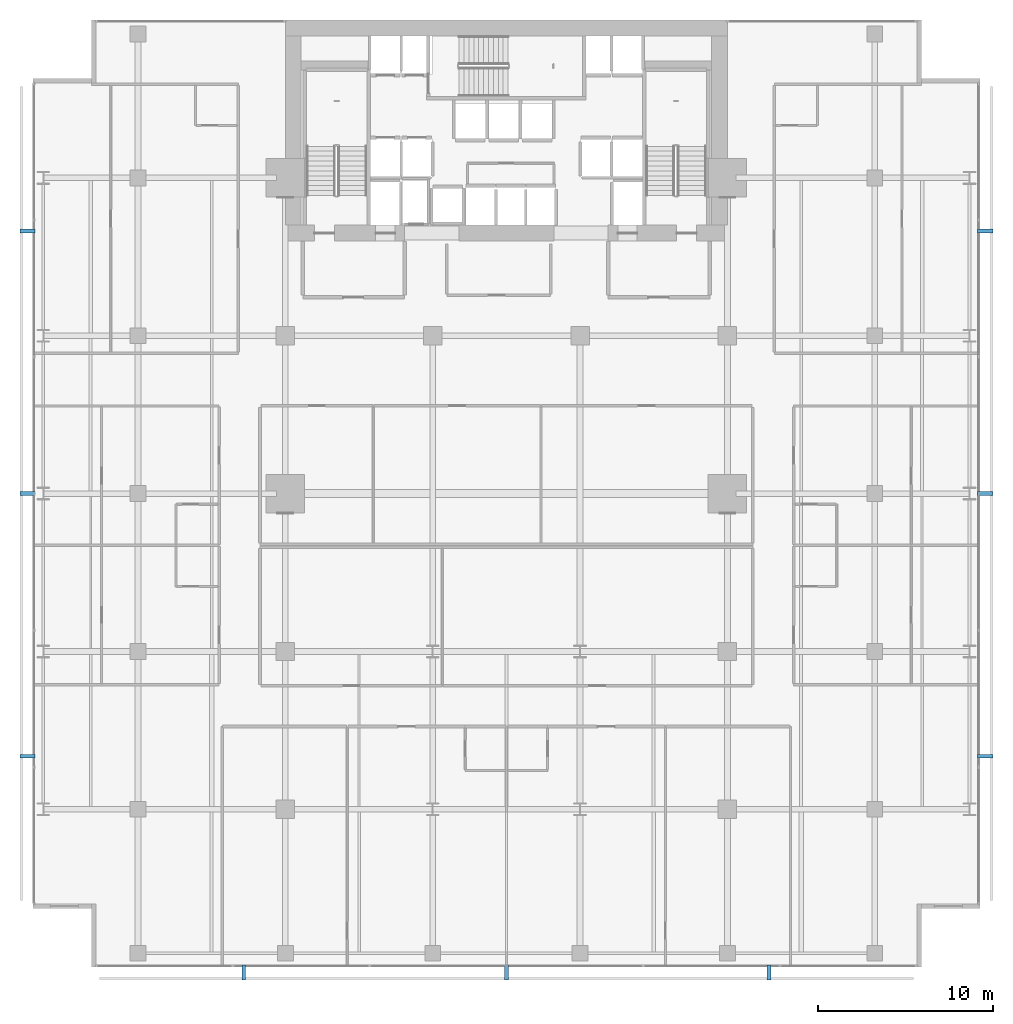
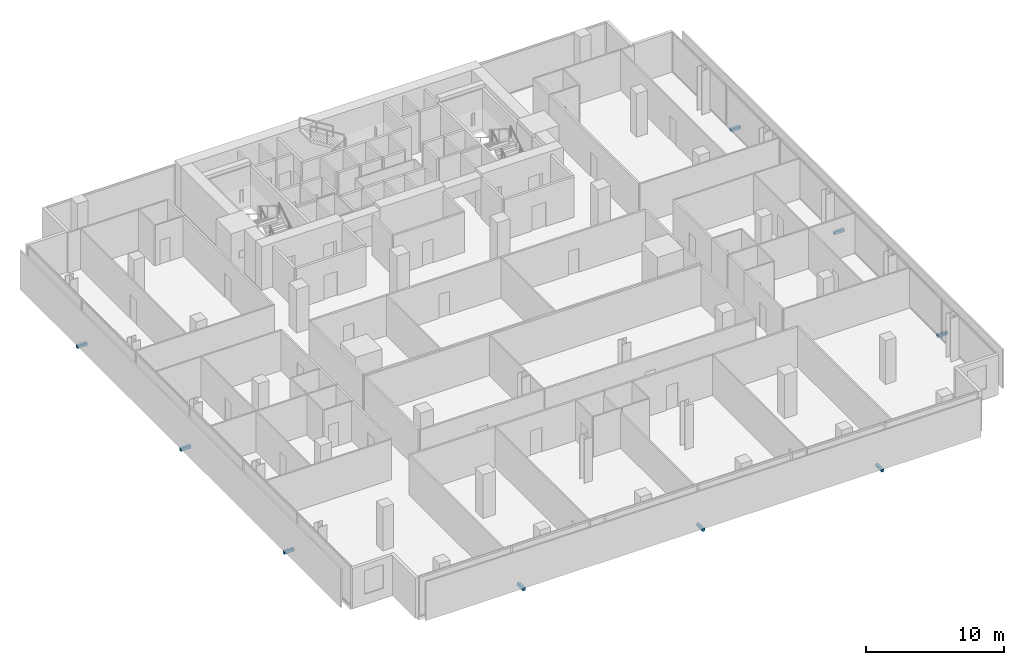
# One storey, part 37 of 39: 9 discrete accessories.
"""IFC4 building model written with IfcOpenShell, lengths in metres."""

from ifc_helpers import new_model, si_unit, direction, frame, origin, origin_2d, place, context, subcontext, project, spatial, rectangle, extrude, material, type_object, element, save


model = new_model("IFC4")

# Units and contexts
model_context = context("Model", 3, precision=1e-05, world=origin(), true_north=direction((0.0, 1.0)))
body_context = subcontext(model_context, "Body", "Model", "MODEL_VIEW")
ifc_project = project(units=[si_unit("LENGTHUNIT", "METRE"), si_unit("AREAUNIT", "SQUARE_METRE"), si_unit("VOLUMEUNIT", "CUBIC_METRE"), si_unit("PLANEANGLEUNIT", "RADIAN"), si_unit("MASSUNIT", "GRAM", prefix="KILO")], contexts=[model_context])

# Site, building, storey
site_placement = place(None, origin())
site = spatial("IfcSite", under=ifc_project, at=site_placement, CompositionType="ELEMENT")
building_placement = place(site_placement, origin())
building = spatial("IfcBuilding", under=site, at=building_placement, Name="Maruvema Waterfront Hotel and Observation Tower", CompositionType="ELEMENT")
storey_placement = place(building_placement, frame((0.0, 0.0, 111.64990234375)))
storey = spatial("IfcBuildingStorey", under=building, at=storey_placement, Name="L27", CompositionType="ELEMENT", Elevation=111.64990234375)

# Discrete accessories
ifc_material = material(Name="Duplex stainless steel Grade 2205", Category="steel")
discrete_accessory_type = type_object("IfcDiscreteAccessoryType", Name="Double-Skin Cavity Stainless Outrigger Bracket", PredefinedType="BRACKET", material=ifc_material)
for number, where, z_axis, x_axis, name in (
    (1, (22.823974609375, -0.300048828125, -0.14013671875), (0.0, 0.0, 1.0), (1.0, 0.0, 0.0), "L27 Outer Skin Support Bracket 1"),
    (2, (37.800048828125, -0.300048828125, -0.14013671875), (0.0, 0.0, 1.0), (1.0, 0.0, 0.0), "L27 Outer Skin Support Bracket 2"),
    (3, (52.77587890625, -0.300048828125, -0.14013671875), (0.0, 0.0, 1.0), (1.0, 0.0, 0.0), "L27 Outer Skin Support Bracket 3"),
    (4, (65.10009765625, 12.02392578125, -0.14013671875), (0.0, 0.0, 1.0), (0.0, 1.0, 0.0), "L27 Outer Skin Support Bracket 1"),
    (5, (65.10009765625, 27.0, -0.14013671875), (0.0, 0.0, 1.0), (0.0, 1.0, 0.0), "L27 Outer Skin Support Bracket 2"),
    (6, (65.10009765625, 41.97607421875, -0.14013671875), (0.0, 0.0, 1.0), (0.0, 1.0, 0.0), "L27 Outer Skin Support Bracket 3"),
    (7, (10.5, 41.97607421875, -0.14013671875), (0.0, 0.0, 1.0), (0.0, -1.0, 0.0), "L27 Outer Skin Support Bracket 1"),
    (8, (10.5, 27.0, -0.14013671875), (0.0, 0.0, 1.0), (0.0, -1.0, 0.0), "L27 Outer Skin Support Bracket 2"),
    (9, (10.5, 12.02392578125, -0.14013671875), (0.0, 0.0, 1.0), (0.0, -1.0, 0.0), "L27 Outer Skin Support Bracket 3"),
):
    element("IfcDiscreteAccessory", number, at=place(storey_placement, frame(where, z_axis=z_axis, x_axis=x_axis)), inside=storey, type_object=discrete_accessory_type, Name=name, PredefinedType="BRACKET", context=body_context, shape_type="SweptSolid", body=[
        extrude(rectangle(XDim=0.219970703125, YDim=0.860107421875, at=origin_2d()), origin(), (0.0, 0.0, 1.0), 0.239990234375),
    ])

save(model, "model.ifc")
